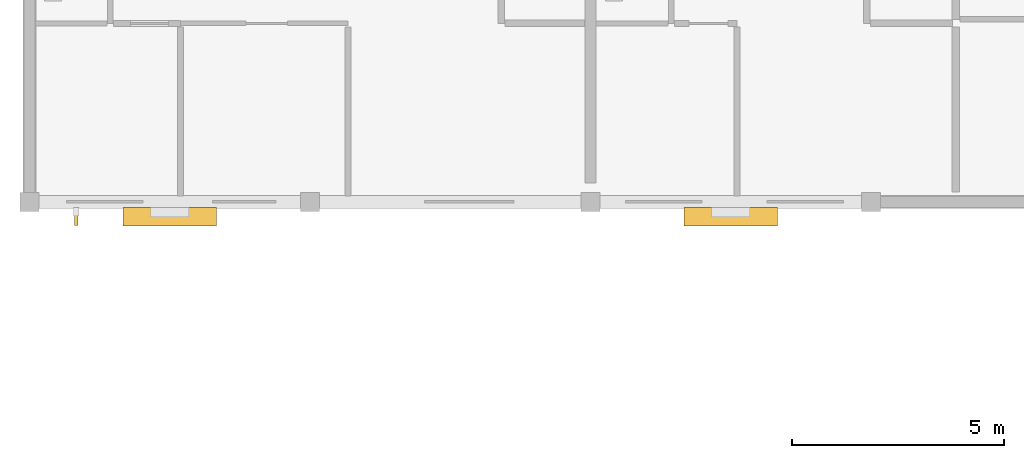
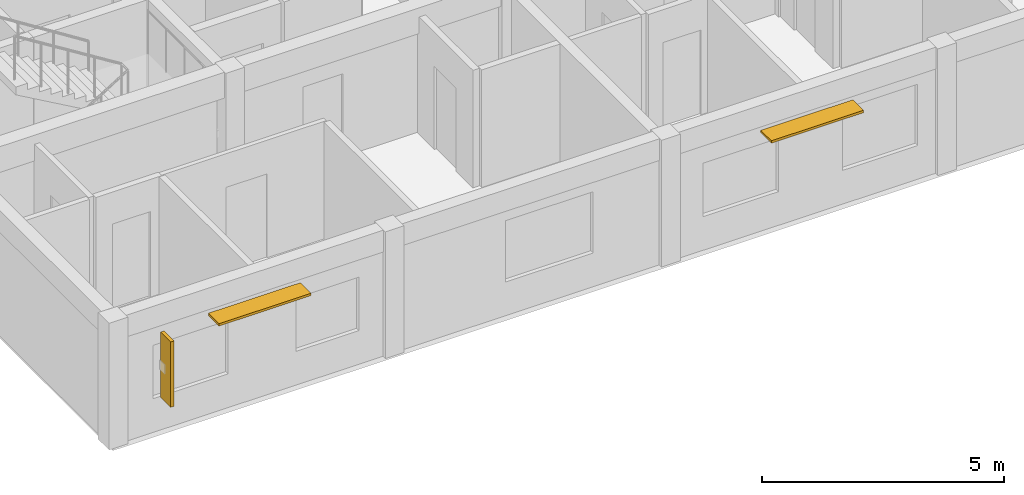
# One storey, part 32 of 37: 3 shading devices.
"""IFC4 building model written with IfcOpenShell, lengths in metres."""

from ifc_helpers import new_model, si_unit, direction, frame, origin, origin_2d, place, context, subcontext, project, spatial, rectangle, extrude, material, layer, layer_set, type_object, element, save


model = new_model("IFC4")

# Units and contexts
model_context = context("Model", 3, precision=1e-05, world=origin(), true_north=direction((0.0, 1.0)))
body_context = subcontext(model_context, "Body", "Model", "MODEL_VIEW")
ifc_project = project(units=[si_unit("LENGTHUNIT", "METRE"), si_unit("AREAUNIT", "SQUARE_METRE"), si_unit("VOLUMEUNIT", "CUBIC_METRE"), si_unit("PLANEANGLEUNIT", "RADIAN"), si_unit("MASSUNIT", "GRAM", prefix="KILO")], contexts=[model_context])

# Site, building, storey
site_placement = place(None, origin())
site = spatial("IfcSite", under=ifc_project, at=site_placement, CompositionType="ELEMENT")
building_placement = place(site_placement, origin())
building = spatial("IfcBuilding", under=site, at=building_placement, Name="Kernevlak Ridge Housing Community", CompositionType="ELEMENT")
storey_placement = place(building_placement, frame((0.0, 0.0, 37.199951171875)))
storey = spatial("IfcBuildingStorey", under=building, at=storey_placement, Name="L11", CompositionType="ELEMENT", Elevation=37.199951171875)

# Shading devices
ifc_material_1 = material(Name="Aluminium EN AW-6060 anodised", Category="aluminium")
ifc_layer = layer(ifc_material_1, 0.06005859375, Name="Aluminium EN AW-6060 anodised")
ifc_layer_set = layer_set([ifc_layer], Name="Aluminium EN AW-6060 anodised")
shading_device_type_1 = type_object("IfcShadingDeviceType", Name="LV-01", PredefinedType="JALOUSIE", material=ifc_layer_set)
for number, where, z_axis, x_axis, name in (
    (1, (18.89990234375, 75.64990234375, 2.489990234375), (0.0, 0.0, 1.0), (1.0, 0.0, 0.0), "Horizontal solar louvre 9"),
    (2, (32.10009765625, 75.64990234375, 2.489990234375), (0.0, 0.0, 1.0), (1.0, 0.0, 0.0), "Horizontal solar louvre 10"),
):
    element("IfcShadingDevice", number, at=place(storey_placement, frame(where, z_axis=z_axis, x_axis=x_axis)), inside=storey, type_object=shading_device_type_1, Name=name, PredefinedType="JALOUSIE", context=body_context, shape_type="SweptSolid", body=[
        extrude(rectangle(XDim=2.199951171875, YDim=0.43994140625, at=origin_2d()), origin(), (0.0, 0.0, 1.0), 0.06005859375),
    ])
ifc_material_2 = material(Name="Aluminium EN AW-6060 enamelled", Category="aluminium")
shading_device_type_2 = type_object("IfcShadingDeviceType", Name="LV-02", PredefinedType="USERDEFINED", material=ifc_material_2)
shading_device_placement = place(storey_placement, frame((16.699951171875, 75.659912109375, 0.8251953125), z_axis=(0.0, 0.0, 1.0), x_axis=(1.0, 0.0, 0.0)))
element("IfcShadingDevice", 3, at=shading_device_placement, inside=storey, type_object=shading_device_type_2, Name="De Stijl yellow vertical solar fin 9", ObjectType="LOUVRE", PredefinedType="USERDEFINED", context=body_context, shape_type="SweptSolid", body=[
    extrude(rectangle(XDim=0.080078125, YDim=0.419921875, at=origin_2d()), origin(), (0.0, 0.0, 1.0), 1.64990234375),
])

save(model, "model.ifc")
